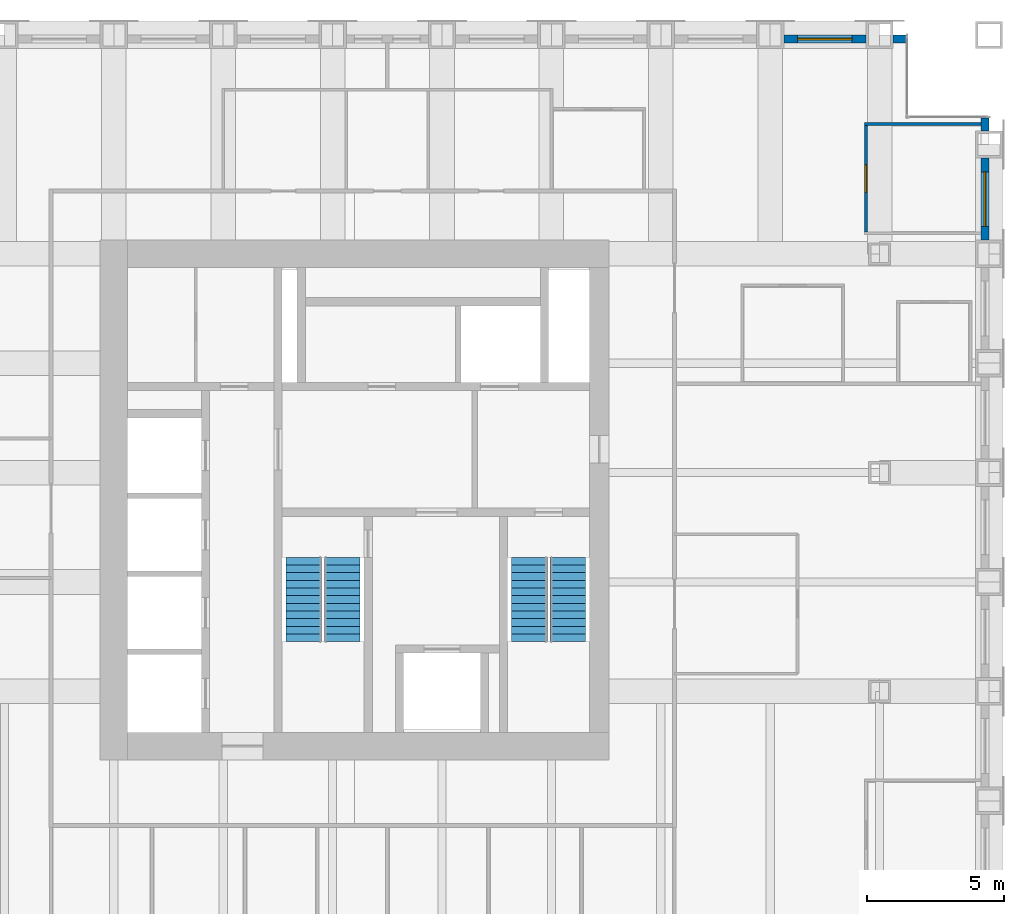
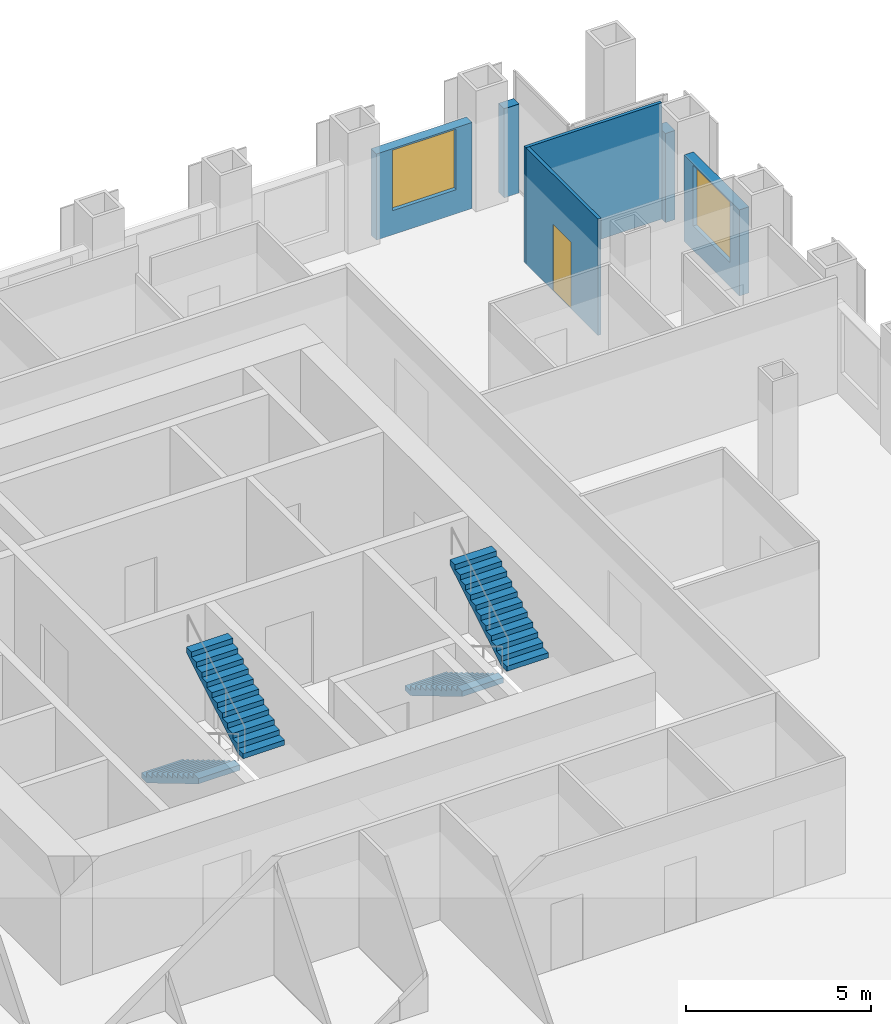
# One storey, part 11 of 13: 6 walls, 4 stair flights, 2 windows, 1 door, 3 openings, 2 elements without a shape of their own.
"""IFC4 building model written with IfcOpenShell, lengths in metres."""

import ifcopenshell
import ifcopenshell.guid

model = None  # the IFC model being written
_history = None  # IfcOwnerHistory: only IFC2X3 demands one
_inside = {}  # id of a spatial element -> (the spatial element, [elements in it])
_under = {}  # id of a project, library or spatial element -> (it, [spatial elements below it])
_declared = {}  # id of a project -> (the project, [libraries it declares])
_typed = {}  # id of a type object -> (the type object, [elements of that type])
_made_of = {}  # id of a material, layer set ... -> (it, [elements and type objects made of it])


def new_model(schema):
    """Start an empty IFC model of exactly this schema.

    Asked for "IFC4X3", IfcOpenShell would pick the latest addendum, in which some entities
    have other attributes; the version numbers below select the first issue.
    IFC2X3 requires an IfcOwnerHistory on every rooted entity: one is made here for all.
    """
    global model, _history
    if schema == "IFC4X3":
        model = ifcopenshell.file(schema_version=(4, 3, 0, 0))
    else:
        model = ifcopenshell.file(schema=schema)
    _inside.clear()
    _under.clear()
    _declared.clear()
    _typed.clear()
    _made_of.clear()
    _history = None
    if model.schema == "IFC2X3":
        org = make("IfcOrganization", Name="unknown")
        user = make(
            "IfcPersonAndOrganization",
            ThePerson=make("IfcPerson", FamilyName="unknown"),
            TheOrganization=org,
        )
        app = make(
            "IfcApplication",
            ApplicationDeveloper=org,
            Version="unknown",
            ApplicationFullName="unknown",
            ApplicationIdentifier="unknown",
        )
        _history = make(
            "IfcOwnerHistory",
            OwningUser=user,
            OwningApplication=app,
            ChangeAction="ADDED",
            CreationDate=0,
        )
    return model


def make(cls, **values):
    """One entity of the class cls with the attributes given. An attribute that is None is left unset."""
    return model.create_entity(
        cls, **{name: value for name, value in values.items() if value is not None}
    )


def rooted(cls, **values):
    """An entity with a GlobalId (a new one), such as an element, a storey or a relation."""
    return make(cls, GlobalId=ifcopenshell.guid.new(), OwnerHistory=_history, **values)


def si_unit(unit_type, name, prefix=None):
    """IfcSIUnit, for example si_unit("LENGTHUNIT", "METRE", prefix="MILLI")."""
    return make("IfcSIUnit", UnitType=unit_type, Prefix=prefix, Name=name)


def assignment(units):
    """IfcUnitAssignment: the units of a project."""
    return None if units is None else make("IfcUnitAssignment", Units=units)


def point(xyz):
    """IfcCartesianPoint."""
    return None if xyz is None else make("IfcCartesianPoint", Coordinates=xyz)


def direction(xyz):
    """IfcDirection."""
    return None if xyz is None else make("IfcDirection", DirectionRatios=xyz)


def frame(location, z_axis=None, x_axis=None):
    """IfcAxis2Placement3D, a coordinate frame: its origin and axes. An axis left out is left unset."""
    return make(
        "IfcAxis2Placement3D",
        Location=point(location),
        Axis=direction(z_axis),
        RefDirection=direction(x_axis),
    )


def frame_2d(location, x_axis=None):
    """IfcAxis2Placement2D, a coordinate frame in the plane: its origin and x axis."""
    return make(
        "IfcAxis2Placement2D", Location=point(location), RefDirection=direction(x_axis)
    )


def origin():
    """The frame at (0, 0, 0) with its axes left unset."""
    return frame((0.0, 0.0, 0.0))


def place(relative_to, where):
    """IfcLocalPlacement: puts the frame where relative to a parent placement (None: the world)."""
    return make(
        "IfcLocalPlacement", PlacementRelTo=relative_to, RelativePlacement=where
    )


def context(
    kind, dimensions, precision=None, world=None, true_north=None, identifier=None
):
    """IfcGeometricRepresentationContext, for example the 3D "Model" context."""
    return make(
        "IfcGeometricRepresentationContext",
        ContextIdentifier=identifier,
        ContextType=kind,
        CoordinateSpaceDimension=dimensions,
        Precision=precision,
        WorldCoordinateSystem=world,
        TrueNorth=true_north,
    )


def subcontext(parent, identifier, kind, view, scale=None):
    """IfcGeometricRepresentationSubContext, for example "Body" below "Model"."""
    return make(
        "IfcGeometricRepresentationSubContext",
        ContextIdentifier=identifier,
        ContextType=kind,
        ParentContext=parent,
        TargetScale=scale,
        TargetView=view,
    )


def project(units=None, contexts=None):
    """IfcProject with its units and contexts."""
    return rooted(
        "IfcProject",
        Name="project",
        RepresentationContexts=contexts,
        UnitsInContext=assignment(units),
    )


def spatial(cls, under=None, at=None, **own):
    """A site, building, storey or space (cls), placed at a placement, below another one or the project."""
    s = rooted(cls, ObjectPlacement=at, **own)
    if under is not None:
        _under.setdefault(under.id(), (under, []))[1].append(s)
    return s


def polyline(points):
    """IfcPolyline through the points."""
    return make("IfcPolyline", Points=[point(p) for p in points])


def profile(cls, at=None, kind="AREA", **sizes):
    """A parametric profile (cls). Its sizes go by their IFC names, for example OverallWidth=200.0."""
    return make(cls, ProfileType=kind, Position=at, **sizes)


def rectangle(**sizes):
    """IfcRectangleProfileDef."""
    return profile("IfcRectangleProfileDef", **sizes)


def outline(outer, holes=None, kind="AREA"):
    """IfcArbitraryClosedProfileDef: a profile drawn as a closed curve; with holes, ...WithVoids."""
    if holes is None:
        return make("IfcArbitraryClosedProfileDef", ProfileType=kind, OuterCurve=outer)
    return make(
        "IfcArbitraryProfileDefWithVoids",
        ProfileType=kind,
        OuterCurve=outer,
        InnerCurves=holes,
    )


def extrude(swept, where, along, depth):
    """IfcExtrudedAreaSolid: the profile swept, set in the frame where, extruded along a direction by depth."""
    return make(
        "IfcExtrudedAreaSolid",
        SweptArea=swept,
        Position=where,
        ExtrudedDirection=direction(along),
        Depth=depth,
    )


def shape(context_of_items, identifier, shape_type, items):
    """IfcShapeRepresentation: the items that make up one representation, for example the "Body"."""
    return make(
        "IfcShapeRepresentation",
        ContextOfItems=context_of_items,
        RepresentationIdentifier=identifier,
        RepresentationType=shape_type,
        Items=items,
    )


def material(Name=None, Category=None):
    """IfcMaterial."""
    return make("IfcMaterial", Name=Name, Category=Category)


def layer(
    of_material, thickness, ventilated=None, Name=None, Category=None, Priority=None
):
    """IfcMaterialLayer: one layer of a wall or slab, of a material (None: an air gap)."""
    return make(
        "IfcMaterialLayer",
        Material=of_material,
        LayerThickness=thickness,
        IsVentilated=ventilated,
        Name=Name,
        Category=Category,
        Priority=Priority,
    )


def layer_set(layers, Name=None):
    """IfcMaterialLayerSet."""
    return make("IfcMaterialLayerSet", MaterialLayers=layers, LayerSetName=Name)


def made_of(thing, what):
    """Note that an element or type object is made of a material, layer set ...; save() writes the relation."""
    if what is not None:
        _made_of.setdefault(what.id(), (what, []))[1].append(thing)
    return thing


def type_object(cls, material=None, **own):
    """A type object (cls), such as IfcWallType, which elements share."""
    return made_of(rooted(cls, **own), material)


def element(
    cls,
    number,
    at=None,
    inside=None,
    cuts=None,
    type_object=None,
    material=None,
    context=None,
    identifier="Body",
    shape_type=None,
    held_by="IfcProductDefinitionShape",
    body=None,
    shapes=None,
    **own,
):
    """One element of the class cls, such as IfcWall. Its Tag is "e" and its number.

    at: its placement. inside: the storey or other place that contains it. cuts: it is an
    opening in that element (IfcRelVoidsElement). A single representation is given by context,
    identifier, shape_type and body (its items); several are given by shapes. held_by: the class
    of the entity that holds the representations. save() writes the other relations.
    """
    e = rooted(cls, Tag="e%d" % number, ObjectPlacement=at, **own)
    if body is not None:
        shapes = [shape(context, identifier, shape_type, body)]
    if shapes is not None:
        e.Representation = make(held_by, Representations=shapes)
    if inside is not None:
        _inside.setdefault(inside.id(), (inside, []))[1].append(e)
    if cuts is not None:
        rooted(
            "IfcRelVoidsElement", RelatingBuildingElement=cuts, RelatedOpeningElement=e
        )
    if type_object is not None:
        _typed.setdefault(type_object.id(), (type_object, []))[1].append(e)
    return made_of(e, material)


def fill(opening, filler):
    """IfcRelFillsElement: the door or window that sits in an opening."""
    return rooted(
        "IfcRelFillsElement",
        RelatingOpeningElement=opening,
        RelatedBuildingElement=filler,
    )


def aggregate(whole, parts):
    """IfcRelAggregates: a whole, such as a stair, and the parts it consists of."""
    return rooted("IfcRelAggregates", RelatingObject=whole, RelatedObjects=parts)


def save(model, path):
    """Write the relations noted so far, then the file.

    IfcRelAggregates (storeys below a building ...), IfcRelContainedInSpatialStructure (elements
    in a storey), IfcRelDefinesByType, IfcRelAssociatesMaterial and IfcRelDeclares: one each for
    every whole, place, type object, material and project.
    """
    for whole, parts in _under.values():
        aggregate(whole, parts)
    for where, things in _inside.values():
        rooted(
            "IfcRelContainedInSpatialStructure",
            RelatedElements=things,
            RelatingStructure=where,
        )
    for kind, things in _typed.values():
        rooted("IfcRelDefinesByType", RelatedObjects=things, RelatingType=kind)
    for what, things in _made_of.values():
        rooted("IfcRelAssociatesMaterial", RelatedObjects=things, RelatingMaterial=what)
    for by, libraries in _declared.values():
        rooted("IfcRelDeclares", RelatingContext=by, RelatedDefinitions=libraries)
    model.write(path)


model = new_model("IFC4")

# Units and contexts
model_context = context("Model", 3, precision=1e-05, world=origin(), true_north=direction((0.0, 1.0)))
body_context = subcontext(model_context, "Body", "Model", "MODEL_VIEW")
ifc_project = project(units=[si_unit("LENGTHUNIT", "METRE"), si_unit("AREAUNIT", "SQUARE_METRE"), si_unit("VOLUMEUNIT", "CUBIC_METRE"), si_unit("PLANEANGLEUNIT", "RADIAN"), si_unit("MASSUNIT", "GRAM", prefix="KILO")], contexts=[model_context])

# Site, building, storey
site_placement = place(None, origin())
site = spatial("IfcSite", under=ifc_project, at=site_placement, CompositionType="ELEMENT")
building_placement = place(site_placement, origin())
building = spatial("IfcBuilding", under=site, at=building_placement, Name="Rimbunsela Tower", CompositionType="ELEMENT")
storey_placement = place(building_placement, frame((0.0, 0.0, 258.199951171875)))
storey = spatial("IfcBuildingStorey", under=building, at=storey_placement, Name="L62", CompositionType="ELEMENT", Elevation=258.199951171875)

# Wall
ifc_material_1 = material(Name="Gypsum board on steel studs", Category="steel")
ifc_layer_1 = layer(ifc_material_1, 0.10009765625)
ifc_layer_set_1 = layer_set([ifc_layer_1], Name="Office partition 100")
wall_type_1 = type_object("IfcWallType", Name="Office partition 100", PredefinedType="PARTITIONING", material=ifc_layer_set_1)
wall_1_placement = place(storey_placement, frame((45.449951171875, 40.75, 0.0), z_axis=(0.0, 0.0, 1.0), x_axis=(1.0, 0.0, 0.0)))
element("IfcWall", 1, at=wall_1_placement, inside=storey, type_object=wall_type_1, Name="Office partition", PredefinedType="PARTITIONING", context=body_context, shape_type="SweptSolid", body=[
    extrude(rectangle(XDim=4.25, YDim=0.10009765625, at=frame_2d((2.125, 0.0))), origin(), (0.0, 0.0, 1.0), 3.85009765625),
])

# Wall, opening, door
wall_2_placement = place(storey_placement, frame((45.5, 36.800048828125, 0.0), z_axis=(0.0, 0.0, 1.0), x_axis=(0.0, 1.0, 0.0)))
wall_2 = element("IfcWall", 2, at=wall_2_placement, inside=storey, type_object=wall_type_1, Name="Office partition", PredefinedType="PARTITIONING", context=body_context, shape_type="SweptSolid", body=[
    extrude(rectangle(XDim=3.89990234375, YDim=0.10009765625, at=frame_2d((1.949951171875, 0.0))), origin(), (0.0, 0.0, 1.0), 3.85009765625),
])
opening_1_placement = place(wall_2_placement, frame((1.449951171875, 0.0, 0.0)))
opening_1 = element("IfcOpeningElement", 3, at=opening_1_placement, cuts=wall_2, Name="Opening D16", PredefinedType="OPENING", context=body_context, shape_type="SweptSolid", body=[
    extrude(rectangle(XDim=1.0, YDim=2.199951171875, at=frame_2d((0.5, 1.10009765625))), frame((0.0, 0.06005859375, 0.0), z_axis=(0.0, -1.0, 0.0), x_axis=(1.0, 0.0, 0.0)), (0.0, 0.0, 1.0), 0.1201171875),
])
ifc_material_2 = material(Name="Timber door", Category="wood")
door_type = type_object("IfcDoorType", Name="Office door 1000", OperationType="SINGLE_SWING_LEFT", PredefinedType="DOOR", material=ifc_material_2)
door_placement = place(opening_1_placement, origin())
door = element("IfcDoor", 4, at=door_placement, inside=storey, type_object=door_type, Name="Office door", OperationType="SINGLE_SWING_LEFT", OverallHeight=2.199951171875, OverallWidth=1.0, PredefinedType="DOOR", context=body_context, shape_type="SweptSolid", body=[
    extrude(rectangle(XDim=1.0, YDim=2.199951171875, at=frame_2d((0.5, 1.10009765625))), frame((0.0, 0.02490234375, 0.0), z_axis=(0.0, -1.0, 0.0), x_axis=(1.0, 0.0, 0.0)), (0.0, 0.0, 1.0), 0.050048828125),
])
fill(opening_1, door)

# Wall, opening, window
ifc_material_3 = material(Name="Precast concrete fc' 35 MPa", Category="concrete")
ifc_layer_2 = layer(ifc_material_3, 0.300048828125)
ifc_layer_set_2 = layer_set([ifc_layer_2], Name="Precast concrete fc' 35 MPa")
wall_type_2 = type_object("IfcWallType", Name="Precast facade panel 300", PredefinedType="ELEMENTEDWALL", material=ifc_layer_set_2)
wall_3_placement = place(storey_placement, frame((49.85009765625, 36.5, 0.0), z_axis=(0.0, 0.0, 1.0), x_axis=(0.0, 1.0, 0.0)))
wall_3 = element("IfcWall", 5, at=wall_3_placement, inside=storey, type_object=wall_type_2, Name="Facade panel E L62", PredefinedType="ELEMENTEDWALL", context=body_context, shape_type="SweptSolid", body=[
    extrude(rectangle(XDim=3.0, YDim=0.300048828125, at=frame_2d((1.5, 0.0))), origin(), (0.0, 0.0, 1.0), 2.85009765625),
])
opening_2_placement = place(wall_3_placement, frame((0.5, 0.0, 0.800048828125)))
opening_2 = element("IfcOpeningElement", 6, at=opening_2_placement, cuts=wall_3, Name="Opening W1", PredefinedType="OPENING", context=body_context, shape_type="SweptSolid", body=[
    extrude(rectangle(XDim=2.0, YDim=2.0, at=frame_2d((1.0, 1.0))), frame((0.0, 0.159912109375, 0.0), z_axis=(0.0, -1.0, 0.0), x_axis=(1.0, 0.0, 0.0)), (0.0, 0.0, 1.0), 0.320068359375),
])
ifc_material_4 = material(Name="Clear glass in aluminium frame", Category="aluminium")
window_type = type_object("IfcWindowType", Name="Window W1 2000x2000", PartitioningType="DOUBLE_PANEL_VERTICAL", PredefinedType="WINDOW", material=ifc_material_4)
window_1_placement = place(opening_2_placement, origin())
window_1 = element("IfcWindow", 7, at=window_1_placement, inside=storey, type_object=window_type, Name="Window L62", OverallHeight=2.0, OverallWidth=2.0, PartitioningType="SINGLE_PANEL", PredefinedType="WINDOW", context=body_context, shape_type="SweptSolid", body=[
    extrude(rectangle(XDim=2.0, YDim=2.0, at=frame_2d((1.0, 1.0))), frame((0.0, 0.030029296875, 0.0), z_axis=(0.0, -1.0, 0.0), x_axis=(1.0, 0.0, 0.0)), (0.0, 0.0, 1.0), 0.06005859375),
])
fill(opening_2, window_1)

# Wall
wall_4_placement = place(storey_placement, frame((49.85009765625, 40.5, 0.0), z_axis=(0.0, 0.0, 1.0), x_axis=(0.0, 1.0, 0.0)))
element("IfcWall", 8, at=wall_4_placement, inside=storey, type_object=wall_type_2, Name="Facade panel E L62", PredefinedType="ELEMENTEDWALL", context=body_context, shape_type="SweptSolid", body=[
    extrude(rectangle(XDim=0.469970703125, YDim=0.300048828125, at=frame_2d((0.23486328125, 0.0))), origin(), (0.0, 0.0, 1.0), 2.949951171875),
])

# Wall, opening, window
wall_5_placement = place(storey_placement, frame((45.5, 43.85009765625, 0.0), z_axis=(0.0, 0.0, 1.0), x_axis=(-1.0, 0.0, 0.0)))
wall_5 = element("IfcWall", 9, at=wall_5_placement, inside=storey, type_object=wall_type_2, Name="Facade panel N L62", PredefinedType="ELEMENTEDWALL", context=body_context, shape_type="SweptSolid", body=[
    extrude(rectangle(XDim=3.0, YDim=0.300048828125, at=frame_2d((1.5, 0.0))), origin(), (0.0, 0.0, 1.0), 2.85009765625),
])
opening_3_placement = place(wall_5_placement, frame((0.5, 0.0, 0.800048828125)))
opening_3 = element("IfcOpeningElement", 10, at=opening_3_placement, cuts=wall_5, Name="Opening W1", PredefinedType="OPENING", context=body_context, shape_type="SweptSolid", body=[
    extrude(rectangle(XDim=2.0, YDim=2.0, at=frame_2d((1.0, 1.0))), frame((0.0, 0.159912109375, 0.0), z_axis=(0.0, -1.0, 0.0), x_axis=(1.0, 0.0, 0.0)), (0.0, 0.0, 1.0), 0.320068359375),
])
window_2_placement = place(opening_3_placement, origin())
window_2 = element("IfcWindow", 11, at=window_2_placement, inside=storey, type_object=window_type, Name="Window L62", OverallHeight=2.0, OverallWidth=2.0, PartitioningType="SINGLE_PANEL", PredefinedType="WINDOW", context=body_context, shape_type="SweptSolid", body=[
    extrude(rectangle(XDim=2.0, YDim=2.0, at=frame_2d((1.0, 1.0))), frame((0.0, 0.030029296875, 0.0), z_axis=(0.0, -1.0, 0.0), x_axis=(1.0, 0.0, 0.0)), (0.0, 0.0, 1.0), 0.06005859375),
])
fill(opening_3, window_2)

# Wall
wall_6_placement = place(storey_placement, frame((46.969970703125, 43.85009765625, 0.0), z_axis=(0.0, 0.0, 1.0), x_axis=(-1.0, 0.0, 0.0)))
element("IfcWall", 12, at=wall_6_placement, inside=storey, type_object=wall_type_2, Name="Facade panel N L62", PredefinedType="ELEMENTEDWALL", context=body_context, shape_type="SweptSolid", body=[
    extrude(rectangle(XDim=0.469970703125, YDim=0.300048828125, at=frame_2d((0.23486328125, 0.0))), origin(), (0.0, 0.0, 1.0), 2.949951171875),
])

# Stair, stair flights
ifc_material_5 = material(Name="Concrete fc' 35 MPa", Category="concrete")
stair_type = type_object("IfcStairType", Name="Exit stair 24 risers", PredefinedType="HALF_TURN_STAIR", material=ifc_material_5)
stair_1_placement = place(storey_placement, origin())
stair_1 = element("IfcStair", 13, at=stair_1_placement, inside=storey, type_object=stair_type, Name="Exit stair A L62", PredefinedType="HALF_TURN_STAIR")
ifc_material_6 = material(Name="Concrete fc' 35 MPa", Category="concrete")
stair_flight_type = type_object("IfcStairFlightType", Name="Stair flight 12 risers 167", PredefinedType="STRAIGHT", material=ifc_material_6)
stair_flight_1_placement = place(storey_placement, frame((24.949951171875, 24.89990234375, 0.0), z_axis=(0.0, 0.0, 1.0), x_axis=(0.0, -1.0, 0.0)))
stair_flight_1 = element("IfcStairFlight", 14, at=stair_flight_1_placement, type_object=stair_flight_type, Name="ST-A flight 1", NumberOfRisers=12, NumberOfTreads=11, PredefinedType="STRAIGHT", RiserHeight=0.166666667, TreadLength=0.28, context=body_context, shape_type="SweptSolid", body=[
    extrude(outline(polyline([(0.0, 0.0), (0.0, 0.166748046875), (0.280029296875, 0.166748046875), (0.280029296875, 0.333251953125), (0.56005859375, 0.333251953125), (0.56005859375, 0.5), (0.840087890625, 0.5), (0.840087890625, 0.666748046875), (1.1201171875, 0.666748046875), (1.1201171875, 0.833251953125), (1.39990234375, 0.833251953125), (1.39990234375, 1.0), (1.679931640625, 1.0), (1.679931640625, 1.166748046875), (1.9599609375, 1.166748046875), (1.9599609375, 1.333251953125), (2.239990234375, 1.333251953125), (2.239990234375, 1.5), (2.52001953125, 1.5), (2.52001953125, 1.666748046875), (2.800048828125, 1.666748046875), (2.800048828125, 1.833251953125), (3.080078125, 1.833251953125), (3.080078125, 2.0), (3.080078125, 1.658935546875), (0.29296875, 0.0), (0.0, 0.0)])), frame((0.0, 0.64990234375, 0.0), z_axis=(0.0, -1.0, 0.0), x_axis=(1.0, 0.0, 0.0)), (0.0, 0.0, 1.0), 1.300048828125),
])
stair_flight_2_placement = place(storey_placement, frame((26.35009765625, 21.820068359375, 2.0), z_axis=(0.0, 0.0, 1.0), x_axis=(0.0, 1.0, 0.0)))
stair_flight_2 = element("IfcStairFlight", 15, at=stair_flight_2_placement, type_object=stair_flight_type, Name="ST-A flight 2", NumberOfRisers=12, NumberOfTreads=11, PredefinedType="STRAIGHT", RiserHeight=0.166666667, TreadLength=0.28, context=body_context, shape_type="SweptSolid", body=[
    extrude(outline(polyline([(0.0, 0.0), (0.0, 0.166748046875), (0.280029296875, 0.166748046875), (0.280029296875, 0.333251953125), (0.56005859375, 0.333251953125), (0.56005859375, 0.5), (0.840087890625, 0.5), (0.840087890625, 0.666748046875), (1.1201171875, 0.666748046875), (1.1201171875, 0.833251953125), (1.39990234375, 0.833251953125), (1.39990234375, 1.0), (1.679931640625, 1.0), (1.679931640625, 1.166748046875), (1.9599609375, 1.166748046875), (1.9599609375, 1.333251953125), (2.239990234375, 1.333251953125), (2.239990234375, 1.5), (2.52001953125, 1.5), (2.52001953125, 1.666748046875), (2.800048828125, 1.666748046875), (2.800048828125, 1.833251953125), (3.080078125, 1.833251953125), (3.080078125, 2.0), (3.080078125, 1.658935546875), (0.29296875, 0.0), (0.0, 0.0)])), frame((0.0, 0.64990234375, 0.0), z_axis=(0.0, -1.0, 0.0), x_axis=(1.0, 0.0, 0.0)), (0.0, 0.0, 1.0), 1.300048828125),
])
aggregate(stair_1, [stair_flight_1, stair_flight_2])

stair_2_placement = place(storey_placement, origin())
stair_2 = element("IfcStair", 16, at=stair_2_placement, inside=storey, type_object=stair_type, Name="Exit stair B L62", PredefinedType="HALF_TURN_STAIR")
stair_flight_3_placement = place(storey_placement, frame((33.199951171875, 24.89990234375, 0.0), z_axis=(0.0, 0.0, 1.0), x_axis=(0.0, -1.0, 0.0)))
stair_flight_3 = element("IfcStairFlight", 17, at=stair_flight_3_placement, type_object=stair_flight_type, Name="ST-B flight 1", NumberOfRisers=12, NumberOfTreads=11, PredefinedType="STRAIGHT", RiserHeight=0.166666667, TreadLength=0.28, context=body_context, shape_type="SweptSolid", body=[
    extrude(outline(polyline([(0.0, 0.0), (0.0, 0.166748046875), (0.280029296875, 0.166748046875), (0.280029296875, 0.333251953125), (0.56005859375, 0.333251953125), (0.56005859375, 0.5), (0.840087890625, 0.5), (0.840087890625, 0.666748046875), (1.1201171875, 0.666748046875), (1.1201171875, 0.833251953125), (1.39990234375, 0.833251953125), (1.39990234375, 1.0), (1.679931640625, 1.0), (1.679931640625, 1.166748046875), (1.9599609375, 1.166748046875), (1.9599609375, 1.333251953125), (2.239990234375, 1.333251953125), (2.239990234375, 1.5), (2.52001953125, 1.5), (2.52001953125, 1.666748046875), (2.800048828125, 1.666748046875), (2.800048828125, 1.833251953125), (3.080078125, 1.833251953125), (3.080078125, 2.0), (3.080078125, 1.658935546875), (0.29296875, 0.0), (0.0, 0.0)])), frame((0.0, 0.64990234375, 0.0), z_axis=(0.0, -1.0, 0.0), x_axis=(1.0, 0.0, 0.0)), (0.0, 0.0, 1.0), 1.300048828125),
])
stair_flight_4_placement = place(storey_placement, frame((34.60009765625, 21.820068359375, 2.0), z_axis=(0.0, 0.0, 1.0), x_axis=(0.0, 1.0, 0.0)))
stair_flight_4 = element("IfcStairFlight", 18, at=stair_flight_4_placement, type_object=stair_flight_type, Name="ST-B flight 2", NumberOfRisers=12, NumberOfTreads=11, PredefinedType="STRAIGHT", RiserHeight=0.166666667, TreadLength=0.28, context=body_context, shape_type="SweptSolid", body=[
    extrude(outline(polyline([(0.0, 0.0), (0.0, 0.166748046875), (0.280029296875, 0.166748046875), (0.280029296875, 0.333251953125), (0.56005859375, 0.333251953125), (0.56005859375, 0.5), (0.840087890625, 0.5), (0.840087890625, 0.666748046875), (1.1201171875, 0.666748046875), (1.1201171875, 0.833251953125), (1.39990234375, 0.833251953125), (1.39990234375, 1.0), (1.679931640625, 1.0), (1.679931640625, 1.166748046875), (1.9599609375, 1.166748046875), (1.9599609375, 1.333251953125), (2.239990234375, 1.333251953125), (2.239990234375, 1.5), (2.52001953125, 1.5), (2.52001953125, 1.666748046875), (2.800048828125, 1.666748046875), (2.800048828125, 1.833251953125), (3.080078125, 1.833251953125), (3.080078125, 2.0), (3.080078125, 1.658935546875), (0.29296875, 0.0), (0.0, 0.0)])), frame((0.0, 0.64990234375, 0.0), z_axis=(0.0, -1.0, 0.0), x_axis=(1.0, 0.0, 0.0)), (0.0, 0.0, 1.0), 1.300048828125),
])
aggregate(stair_2, [stair_flight_3, stair_flight_4])

save(model, "model.ifc")
